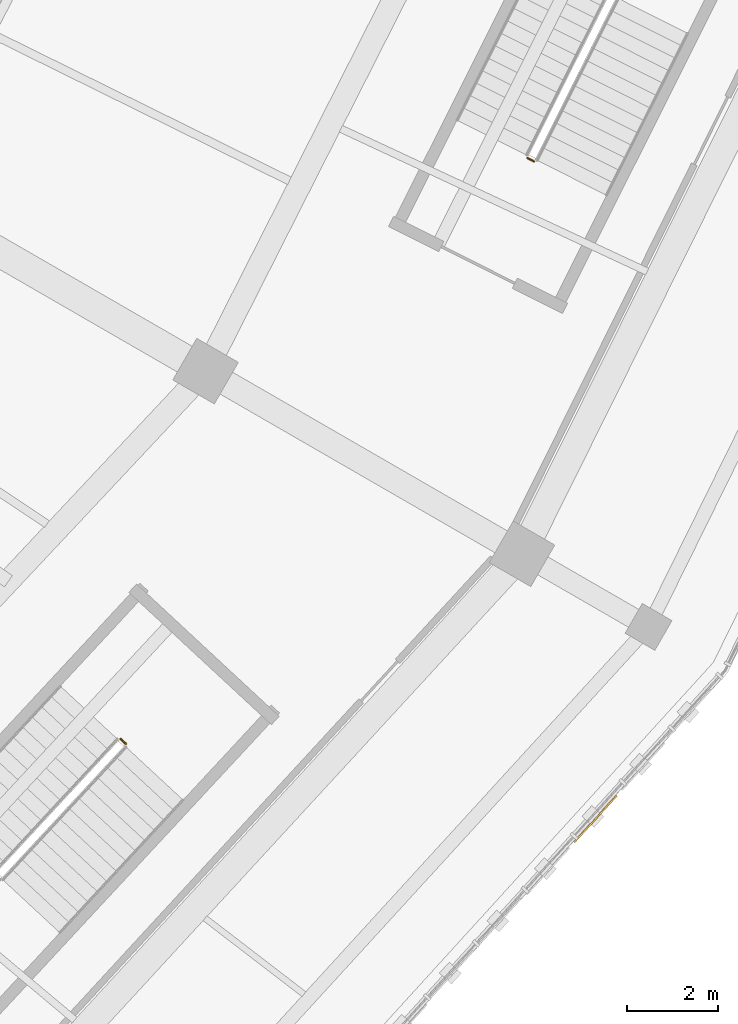
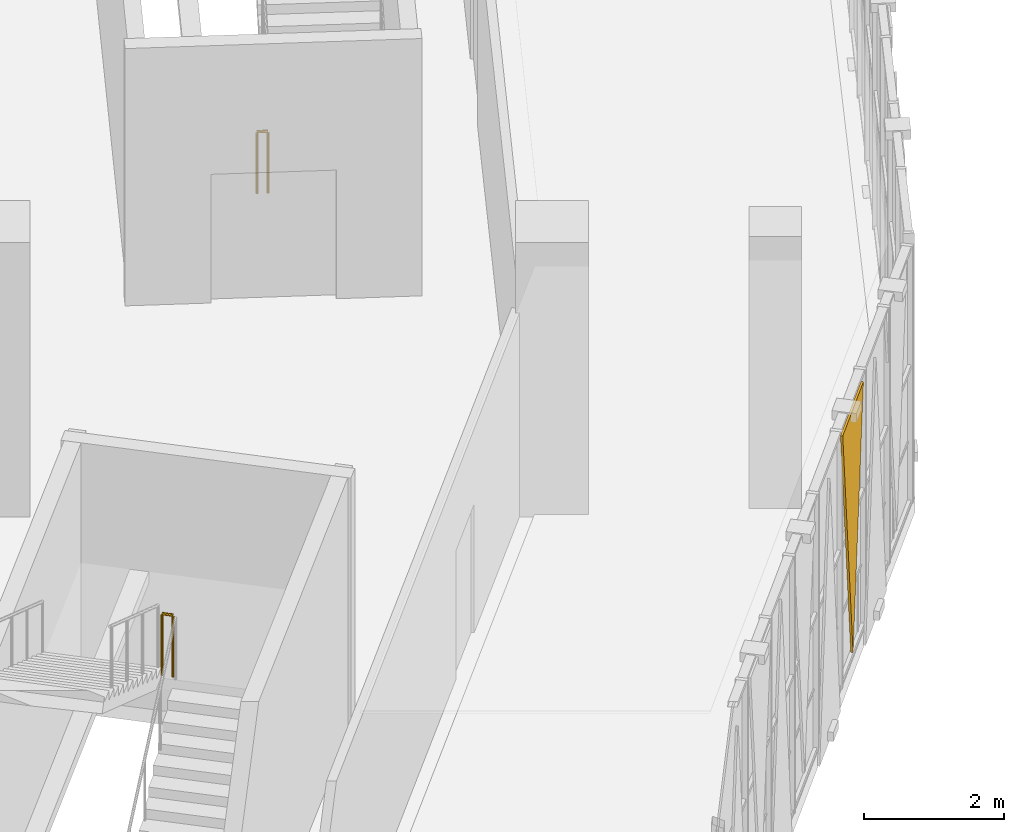
# One storey, part 149 of 179: 2 railings, 1 covering.
"""IFC4 building model written with IfcOpenShell, lengths in metres."""

import ifcopenshell
import ifcopenshell.guid

model = None  # the IFC model being written
_history = None  # IfcOwnerHistory: only IFC2X3 demands one
_inside = {}  # id of a spatial element -> (the spatial element, [elements in it])
_under = {}  # id of a project, library or spatial element -> (it, [spatial elements below it])
_declared = {}  # id of a project -> (the project, [libraries it declares])
_typed = {}  # id of a type object -> (the type object, [elements of that type])
_made_of = {}  # id of a material, layer set ... -> (it, [elements and type objects made of it])


def new_model(schema):
    """Start an empty IFC model of exactly this schema.

    Asked for "IFC4X3", IfcOpenShell would pick the latest addendum, in which some entities
    have other attributes; the version numbers below select the first issue.
    IFC2X3 requires an IfcOwnerHistory on every rooted entity: one is made here for all.
    """
    global model, _history
    if schema == "IFC4X3":
        model = ifcopenshell.file(schema_version=(4, 3, 0, 0))
    else:
        model = ifcopenshell.file(schema=schema)
    _inside.clear()
    _under.clear()
    _declared.clear()
    _typed.clear()
    _made_of.clear()
    _history = None
    if model.schema == "IFC2X3":
        org = make("IfcOrganization", Name="unknown")
        user = make(
            "IfcPersonAndOrganization",
            ThePerson=make("IfcPerson", FamilyName="unknown"),
            TheOrganization=org,
        )
        app = make(
            "IfcApplication",
            ApplicationDeveloper=org,
            Version="unknown",
            ApplicationFullName="unknown",
            ApplicationIdentifier="unknown",
        )
        _history = make(
            "IfcOwnerHistory",
            OwningUser=user,
            OwningApplication=app,
            ChangeAction="ADDED",
            CreationDate=0,
        )
    return model


def make(cls, **values):
    """One entity of the class cls with the attributes given. An attribute that is None is left unset."""
    return model.create_entity(
        cls, **{name: value for name, value in values.items() if value is not None}
    )


def rooted(cls, **values):
    """An entity with a GlobalId (a new one), such as an element, a storey or a relation."""
    return make(cls, GlobalId=ifcopenshell.guid.new(), OwnerHistory=_history, **values)


def si_unit(unit_type, name, prefix=None):
    """IfcSIUnit, for example si_unit("LENGTHUNIT", "METRE", prefix="MILLI")."""
    return make("IfcSIUnit", UnitType=unit_type, Prefix=prefix, Name=name)


def assignment(units):
    """IfcUnitAssignment: the units of a project."""
    return None if units is None else make("IfcUnitAssignment", Units=units)


def point(xyz):
    """IfcCartesianPoint."""
    return None if xyz is None else make("IfcCartesianPoint", Coordinates=xyz)


def direction(xyz):
    """IfcDirection."""
    return None if xyz is None else make("IfcDirection", DirectionRatios=xyz)


def frame(location, z_axis=None, x_axis=None):
    """IfcAxis2Placement3D, a coordinate frame: its origin and axes. An axis left out is left unset."""
    return make(
        "IfcAxis2Placement3D",
        Location=point(location),
        Axis=direction(z_axis),
        RefDirection=direction(x_axis),
    )


def frame_2d(location, x_axis=None):
    """IfcAxis2Placement2D, a coordinate frame in the plane: its origin and x axis."""
    return make(
        "IfcAxis2Placement2D", Location=point(location), RefDirection=direction(x_axis)
    )


def origin():
    """The frame at (0, 0, 0) with its axes left unset."""
    return frame((0.0, 0.0, 0.0))


def origin_2d():
    """The frame at (0, 0) in the plane with its x axis left unset."""
    return frame_2d((0.0, 0.0))


def place(relative_to, where):
    """IfcLocalPlacement: puts the frame where relative to a parent placement (None: the world)."""
    return make(
        "IfcLocalPlacement", PlacementRelTo=relative_to, RelativePlacement=where
    )


def context(
    kind, dimensions, precision=None, world=None, true_north=None, identifier=None
):
    """IfcGeometricRepresentationContext, for example the 3D "Model" context."""
    return make(
        "IfcGeometricRepresentationContext",
        ContextIdentifier=identifier,
        ContextType=kind,
        CoordinateSpaceDimension=dimensions,
        Precision=precision,
        WorldCoordinateSystem=world,
        TrueNorth=true_north,
    )


def subcontext(parent, identifier, kind, view, scale=None):
    """IfcGeometricRepresentationSubContext, for example "Body" below "Model"."""
    return make(
        "IfcGeometricRepresentationSubContext",
        ContextIdentifier=identifier,
        ContextType=kind,
        ParentContext=parent,
        TargetScale=scale,
        TargetView=view,
    )


def project(units=None, contexts=None):
    """IfcProject with its units and contexts."""
    return rooted(
        "IfcProject",
        Name="project",
        RepresentationContexts=contexts,
        UnitsInContext=assignment(units),
    )


def spatial(cls, under=None, at=None, **own):
    """A site, building, storey or space (cls), placed at a placement, below another one or the project."""
    s = rooted(cls, ObjectPlacement=at, **own)
    if under is not None:
        _under.setdefault(under.id(), (under, []))[1].append(s)
    return s


def polyline(points):
    """IfcPolyline through the points."""
    return make("IfcPolyline", Points=[point(p) for p in points])


def profile(cls, at=None, kind="AREA", **sizes):
    """A parametric profile (cls). Its sizes go by their IFC names, for example OverallWidth=200.0."""
    return make(cls, ProfileType=kind, Position=at, **sizes)


def circle(**sizes):
    """IfcCircleProfileDef."""
    return profile("IfcCircleProfileDef", **sizes)


def outline(outer, holes=None, kind="AREA"):
    """IfcArbitraryClosedProfileDef: a profile drawn as a closed curve; with holes, ...WithVoids."""
    if holes is None:
        return make("IfcArbitraryClosedProfileDef", ProfileType=kind, OuterCurve=outer)
    return make(
        "IfcArbitraryProfileDefWithVoids",
        ProfileType=kind,
        OuterCurve=outer,
        InnerCurves=holes,
    )


def extrude(swept, where, along, depth):
    """IfcExtrudedAreaSolid: the profile swept, set in the frame where, extruded along a direction by depth."""
    return make(
        "IfcExtrudedAreaSolid",
        SweptArea=swept,
        Position=where,
        ExtrudedDirection=direction(along),
        Depth=depth,
    )


def shape(context_of_items, identifier, shape_type, items):
    """IfcShapeRepresentation: the items that make up one representation, for example the "Body"."""
    return make(
        "IfcShapeRepresentation",
        ContextOfItems=context_of_items,
        RepresentationIdentifier=identifier,
        RepresentationType=shape_type,
        Items=items,
    )


def material(Name=None, Category=None):
    """IfcMaterial."""
    return make("IfcMaterial", Name=Name, Category=Category)


def layer(
    of_material, thickness, ventilated=None, Name=None, Category=None, Priority=None
):
    """IfcMaterialLayer: one layer of a wall or slab, of a material (None: an air gap)."""
    return make(
        "IfcMaterialLayer",
        Material=of_material,
        LayerThickness=thickness,
        IsVentilated=ventilated,
        Name=Name,
        Category=Category,
        Priority=Priority,
    )


def layer_set(layers, Name=None):
    """IfcMaterialLayerSet."""
    return make("IfcMaterialLayerSet", MaterialLayers=layers, LayerSetName=Name)


def made_of(thing, what):
    """Note that an element or type object is made of a material, layer set ...; save() writes the relation."""
    if what is not None:
        _made_of.setdefault(what.id(), (what, []))[1].append(thing)
    return thing


def type_object(cls, material=None, **own):
    """A type object (cls), such as IfcWallType, which elements share."""
    return made_of(rooted(cls, **own), material)


def element(
    cls,
    number,
    at=None,
    inside=None,
    cuts=None,
    type_object=None,
    material=None,
    context=None,
    identifier="Body",
    shape_type=None,
    held_by="IfcProductDefinitionShape",
    body=None,
    shapes=None,
    **own,
):
    """One element of the class cls, such as IfcWall. Its Tag is "e" and its number.

    at: its placement. inside: the storey or other place that contains it. cuts: it is an
    opening in that element (IfcRelVoidsElement). A single representation is given by context,
    identifier, shape_type and body (its items); several are given by shapes. held_by: the class
    of the entity that holds the representations. save() writes the other relations.
    """
    e = rooted(cls, Tag="e%d" % number, ObjectPlacement=at, **own)
    if body is not None:
        shapes = [shape(context, identifier, shape_type, body)]
    if shapes is not None:
        e.Representation = make(held_by, Representations=shapes)
    if inside is not None:
        _inside.setdefault(inside.id(), (inside, []))[1].append(e)
    if cuts is not None:
        rooted(
            "IfcRelVoidsElement", RelatingBuildingElement=cuts, RelatedOpeningElement=e
        )
    if type_object is not None:
        _typed.setdefault(type_object.id(), (type_object, []))[1].append(e)
    return made_of(e, material)


def aggregate(whole, parts):
    """IfcRelAggregates: a whole, such as a stair, and the parts it consists of."""
    return rooted("IfcRelAggregates", RelatingObject=whole, RelatedObjects=parts)


def save(model, path):
    """Write the relations noted so far, then the file.

    IfcRelAggregates (storeys below a building ...), IfcRelContainedInSpatialStructure (elements
    in a storey), IfcRelDefinesByType, IfcRelAssociatesMaterial and IfcRelDeclares: one each for
    every whole, place, type object, material and project.
    """
    for whole, parts in _under.values():
        aggregate(whole, parts)
    for where, things in _inside.values():
        rooted(
            "IfcRelContainedInSpatialStructure",
            RelatedElements=things,
            RelatingStructure=where,
        )
    for kind, things in _typed.values():
        rooted("IfcRelDefinesByType", RelatedObjects=things, RelatingType=kind)
    for what, things in _made_of.values():
        rooted("IfcRelAssociatesMaterial", RelatedObjects=things, RelatingMaterial=what)
    for by, libraries in _declared.values():
        rooted("IfcRelDeclares", RelatingContext=by, RelatedDefinitions=libraries)
    model.write(path)


model = new_model("IFC4")

# Units and contexts
model_context = context("Model", 3, precision=1e-05, world=origin(), true_north=direction((0.0, 1.0)))
body_context = subcontext(model_context, "Body", "Model", "MODEL_VIEW")
ifc_project = project(units=[si_unit("LENGTHUNIT", "METRE"), si_unit("AREAUNIT", "SQUARE_METRE"), si_unit("VOLUMEUNIT", "CUBIC_METRE"), si_unit("PLANEANGLEUNIT", "RADIAN"), si_unit("MASSUNIT", "GRAM", prefix="KILO")], contexts=[model_context])

# Site, building, storey
site_placement = place(None, origin())
site = spatial("IfcSite", under=ifc_project, at=site_placement, CompositionType="ELEMENT")
building_placement = place(site_placement, origin())
building = spatial("IfcBuilding", under=site, at=building_placement, Name="Zevraka Park Crest Stadium", CompositionType="ELEMENT")
storey_placement = place(building_placement, frame((0.0, 0.0, 10.199951171875)))
storey = spatial("IfcBuildingStorey", under=building, at=storey_placement, Name="L02", CompositionType="ELEMENT", Elevation=10.199951171875)

# Covering
ifc_material_1 = material(Name="Architectural golden-bronze perforated aluminium", Category="aluminium")
ifc_layer = layer(ifc_material_1, 0.034912109375)
ifc_layer_set = layer_set([ifc_layer], Name="Architectural golden-bronze perforated aluminium")
covering_type = type_object("IfcCoveringType", Name="CLD01", PredefinedType="CLADDING", material=ifc_layer_set)
covering_placement = place(storey_placement, frame((192.26708984375, 49.071044921875, 4.47998046875), z_axis=(-0.73952552216, 0.673128493854, 0.000181206503), x_axis=(-0.673128504906, -0.739525534301, 0.0)))
element("IfcCovering", 1, at=covering_placement, inside=storey, type_object=covering_type, Name="Triangular Golden-Bronze Perforated Cladding L02-21-12", PredefinedType="CLADDING", context=body_context, shape_type="SweptSolid", body=[
    extrude(outline(polyline([(0.0, 0.0), (1.386221890693398, -2.710505431213761e-20), (0.6929882508091156, -4.26000983556541), (0.0, 0.0)])), origin(), (0.0, 0.0, -1.0), 0.034912109375),
])

# Railings
ifc_material_2 = material(Name="Powder-coated tubular steel stairwell guard", Category="steel")
railing_type = type_object("IfcRailingType", Name="GR03", PredefinedType="GUARDRAIL", material=ifc_material_2)
railing_1_placement = place(storey_placement, frame((181.529541015625, 50.189697265625, 2.400146484375)))
element("IfcRailing", 2, at=railing_1_placement, inside=storey, type_object=railing_type, Name="L02 ST22 stair guard 2", PredefinedType="GUARDRAIL", context=body_context, shape_type="SweptSolid", body=[
    extrude(circle(Radius=0.02392578125, at=origin_2d()), frame((0.0, 0.0, 1.076171875), z_axis=(-0.732576022975, 0.680685221348, 0.0), x_axis=(-0.680685221348, -0.732576022975, 0.0)), (0.0, 0.0, 1.0), 0.159912109375),
    extrude(circle(Radius=0.02099609375, at=origin_2d()), origin(), (0.0, 0.0, 1.0), 1.052001953125),
    extrude(circle(Radius=0.02099609375, at=origin_2d()), frame((-0.1171875, 0.10888671875, 0.0)), (0.0, 0.0, 1.0), 1.052001953125),
])
railing_2_placement = place(storey_placement, frame((190.465087890625, 62.942626953125, 0.0)))
element("IfcRailing", 3, at=railing_2_placement, inside=storey, type_object=railing_type, Name="L02 ST23 stair guard 4", PredefinedType="GUARDRAIL", context=body_context, shape_type="SweptSolid", body=[
    extrude(circle(Radius=0.02392578125, at=origin_2d()), frame((0.0, 0.0, 1.076171875), z_axis=(-0.893816245171, 0.44843340628, 0.0), x_axis=(-0.44843340628, -0.893816245171, 0.0)), (0.0, 0.0, 1.0), 0.16015625),
    extrude(circle(Radius=0.02099609375, at=origin_2d()), origin(), (0.0, 0.0, 1.0), 1.052001953125),
    extrude(circle(Radius=0.02099609375, at=origin_2d()), frame((-0.14306640625, 0.07177734375, 0.0)), (0.0, 0.0, 1.0), 1.052001953125),
])

save(model, "model.ifc")
